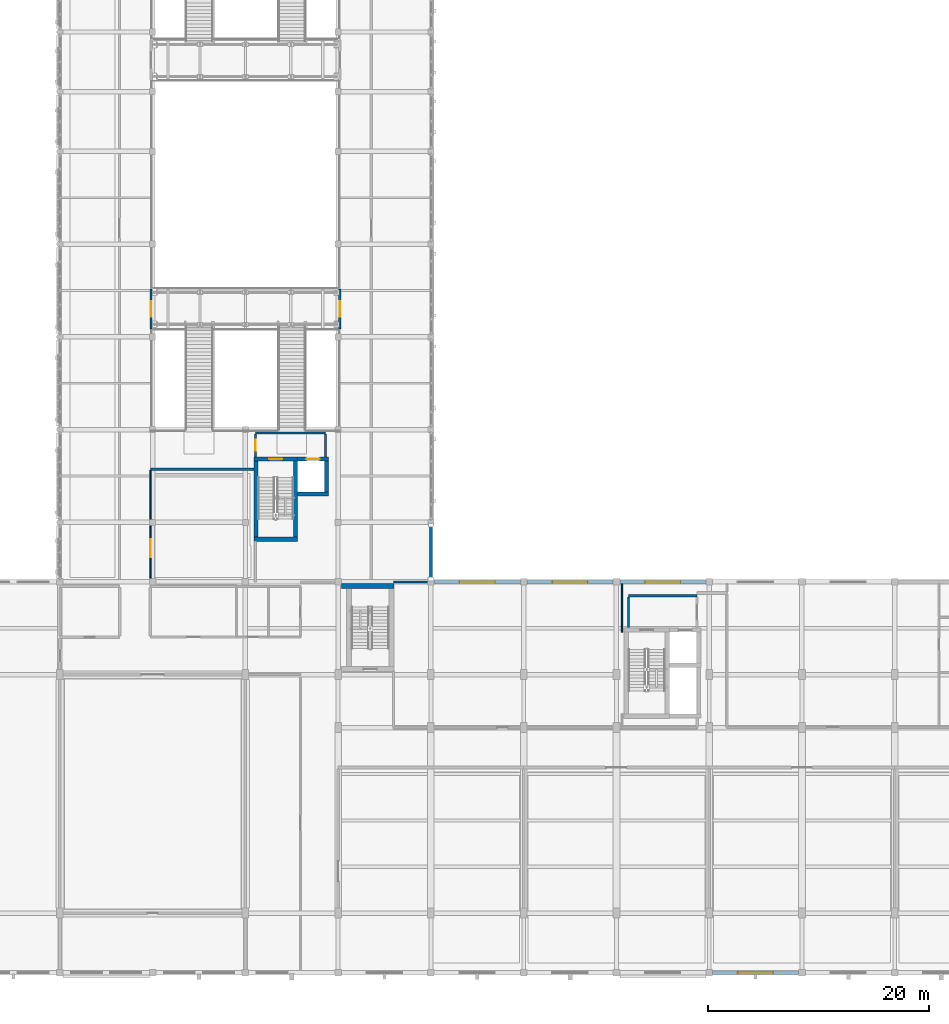
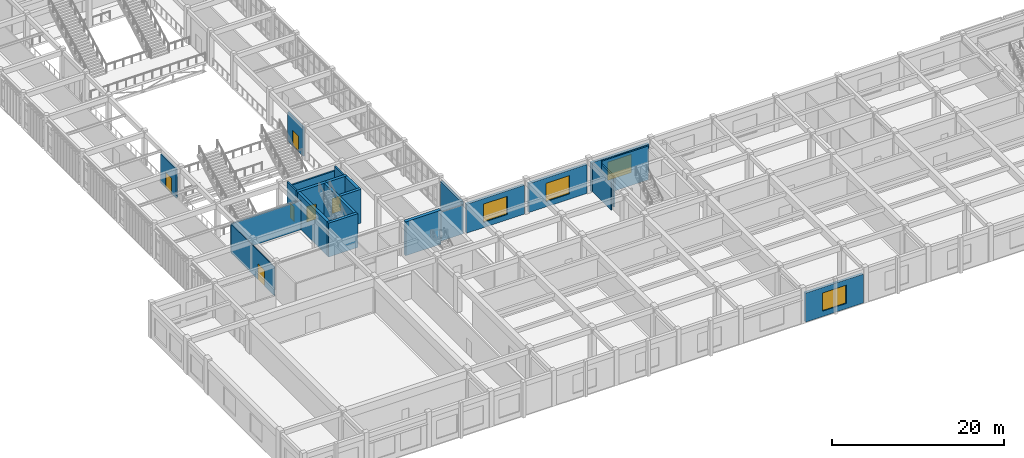
# One storey, part 73 of 93: 24 walls, 6 doors, 4 windows, 10 openings.
"""IFC4 building model written with IfcOpenShell, lengths in metres."""

from ifc_helpers import new_model, si_unit, direction, frame, frame_2d, origin, place, context, subcontext, project, spatial, rectangle, extrude, material, layer, layer_set, type_object, element, fill, save


model = new_model("IFC4")

# Units and contexts
model_context = context("Model", 3, precision=1e-05, world=origin(), true_north=direction((0.0, 1.0)))
body_context = subcontext(model_context, "Body", "Model", "MODEL_VIEW")
ifc_project = project(units=[si_unit("LENGTHUNIT", "METRE"), si_unit("AREAUNIT", "SQUARE_METRE"), si_unit("VOLUMEUNIT", "CUBIC_METRE"), si_unit("PLANEANGLEUNIT", "RADIAN"), si_unit("MASSUNIT", "GRAM", prefix="KILO")], contexts=[model_context])

# Site, building, storey
site_placement = place(None, origin())
site = spatial("IfcSite", under=ifc_project, at=site_placement, CompositionType="ELEMENT")
building_placement = place(site_placement, origin())
building = spatial("IfcBuilding", under=site, at=building_placement, Name="Krzemoval Escarpment Law Courts", CompositionType="ELEMENT")
storey_placement = place(building_placement, frame((0.0, 0.0, 10.199951171875)))
storey = spatial("IfcBuildingStorey", under=building, at=storey_placement, Name="L02", CompositionType="ELEMENT", Elevation=10.199951171875)

# Wall
ifc_material_1 = material(Name="Precast concrete C40/50", Category="concrete")
ifc_layer_1 = layer(ifc_material_1, 0.300048828125)
ifc_layer_set_1 = layer_set([ifc_layer_1], Name="Precast concrete C40/50")
wall_type_1 = type_object("IfcWallType", Name="WL-EXT-300", PredefinedType="SOLIDWALL", material=ifc_layer_set_1)
wall_1_placement = place(storey_placement, frame((42.0, 40.52490234375, 0.0), z_axis=(0.0, 0.0, 1.0), x_axis=(0.0, -1.0, 0.0)))
element("IfcWall", 1, at=wall_1_placement, inside=storey, type_object=wall_type_1, Name="Exterior Wall EW-L02-0275", PredefinedType="SOLIDWALL", context=body_context, shape_type="SweptSolid", body=[
    extrude(rectangle(XDim=4.824951171875, YDim=0.300048828125, at=frame_2d((2.41259765625, 0.0))), origin(), (0.0, 0.0, 1.0), 4.3701171875),
])

# Wall, opening, window
ifc_material_2 = material(Name="Precast concrete C40/50", Category="concrete")
ifc_layer_2 = layer(ifc_material_2, 0.340087890625)
ifc_layer_set_2 = layer_set([ifc_layer_2], Name="Precast concrete C40/50")
wall_type_2 = type_object("IfcWallType", Name="WL-EXT-340", PredefinedType="SOLIDWALL", material=ifc_layer_set_2)
wall_2_placement = place(storey_placement, frame((42.300048828125, 35.39990234375, 0.0), z_axis=(0.0, 0.0, 1.0), x_axis=(1.0, 0.0, 0.0)))
wall_2 = element("IfcWall", 2, at=wall_2_placement, inside=storey, type_object=wall_type_2, Name="Exterior Wall EW-L02-0276", PredefinedType="SOLIDWALL", context=body_context, shape_type="SweptSolid", body=[
    extrude(rectangle(XDim=7.800048828125, YDim=0.340087890625, at=frame_2d((3.89990234375, 0.0))), origin(), (0.0, 0.0, 1.0), 4.1201171875),
])
opening_1_placement = place(wall_2_placement, frame((2.300048828125, 0.0, 0.75)))
opening_1 = element("IfcOpeningElement", 3, at=opening_1_placement, cuts=wall_2, Name="Opening WN-L02-0296", PredefinedType="OPENING", context=body_context, shape_type="SweptSolid", body=[
    extrude(rectangle(XDim=3.199951171875, YDim=2.60009765625, at=frame_2d((1.60009765625, 1.300048828125))), frame((0.0, 0.18504, 0.0), z_axis=(0.0, -1.0, 0.0), x_axis=(1.0, 0.0, 0.0)), (0.0, 0.0, 1.0), 0.37009),
])
ifc_material_3 = material(Name="Thermally Broken Aluminium Frame with Triple Low-E Acoustic Glass", Category="aluminium")
window_type = type_object("IfcWindowType", Name="WN-3200x2600", PartitioningType="SINGLE_PANEL", PredefinedType="WINDOW", material=ifc_material_3)
window_1_placement = place(opening_1_placement, origin())
window_1 = element("IfcWindow", 4, at=window_1_placement, inside=storey, type_object=window_type, Name="Facade Window WN-L02-0296", OverallHeight=2.60009765625, OverallWidth=3.199951171875, PartitioningType="SINGLE_PANEL", PredefinedType="WINDOW", context=body_context, shape_type="SweptSolid", body=[
    extrude(rectangle(XDim=3.199951171875, YDim=2.60009765625, at=frame_2d((1.60009765625, 1.300048828125))), frame((0.0, 0.030029296875, 0.0), z_axis=(0.0, -1.0, 0.0), x_axis=(1.0, 0.0, 0.0)), (0.0, 0.0, 1.0), 0.06005859375),
])
fill(opening_1, window_1)

wall_3_placement = place(storey_placement, frame((50.699951171875, 35.39990234375, 0.0), z_axis=(0.0, 0.0, 1.0), x_axis=(1.0, 0.0, 0.0)))
wall_3 = element("IfcWall", 5, at=wall_3_placement, inside=storey, type_object=wall_type_2, Name="Exterior Wall EW-L02-0277", PredefinedType="SOLIDWALL", context=body_context, shape_type="SweptSolid", body=[
    extrude(rectangle(XDim=7.800048828125, YDim=0.340087890625, at=frame_2d((3.89990234375, 0.0))), origin(), (0.0, 0.0, 1.0), 4.1201171875),
])
opening_2_placement = place(wall_3_placement, frame((2.300048828125, 0.0, 0.75)))
opening_2 = element("IfcOpeningElement", 6, at=opening_2_placement, cuts=wall_3, Name="Opening WN-L02-0297", PredefinedType="OPENING", context=body_context, shape_type="SweptSolid", body=[
    extrude(rectangle(XDim=3.199951171875, YDim=2.60009765625, at=frame_2d((1.60009765625, 1.300048828125))), frame((0.0, 0.18504, 0.0), z_axis=(0.0, -1.0, 0.0), x_axis=(1.0, 0.0, 0.0)), (0.0, 0.0, 1.0), 0.37009),
])
window_2_placement = place(opening_2_placement, origin())
window_2 = element("IfcWindow", 7, at=window_2_placement, inside=storey, type_object=window_type, Name="Facade Window WN-L02-0297", OverallHeight=2.60009765625, OverallWidth=3.199951171875, PartitioningType="SINGLE_PANEL", PredefinedType="WINDOW", context=body_context, shape_type="SweptSolid", body=[
    extrude(rectangle(XDim=3.199951171875, YDim=2.60009765625, at=frame_2d((1.60009765625, 1.300048828125))), frame((0.0, 0.030029296875, 0.0), z_axis=(0.0, -1.0, 0.0), x_axis=(1.0, 0.0, 0.0)), (0.0, 0.0, 1.0), 0.06005859375),
])
fill(opening_2, window_2)

wall_4_placement = place(storey_placement, frame((59.10009765625, 35.39990234375, 0.0), z_axis=(0.0, 0.0, 1.0), x_axis=(1.0, 0.0, 0.0)))
wall_4 = element("IfcWall", 8, at=wall_4_placement, inside=storey, type_object=wall_type_2, Name="Exterior Wall EW-L02-0278", PredefinedType="SOLIDWALL", context=body_context, shape_type="SweptSolid", body=[
    extrude(rectangle(XDim=7.7998046875, YDim=0.340087890625, at=frame_2d((3.89990234375, 0.0))), origin(), (0.0, 0.0, 1.0), 4.1201171875),
])
opening_3_placement = place(wall_4_placement, frame((2.300048828125, 0.0, 0.75)))
opening_3 = element("IfcOpeningElement", 9, at=opening_3_placement, cuts=wall_4, Name="Opening WN-L02-0298", PredefinedType="OPENING", context=body_context, shape_type="SweptSolid", body=[
    extrude(rectangle(XDim=3.199951171875, YDim=2.60009765625, at=frame_2d((1.60009765625, 1.300048828125))), frame((0.0, 0.18504, 0.0), z_axis=(0.0, -1.0, 0.0), x_axis=(1.0, 0.0, 0.0)), (0.0, 0.0, 1.0), 0.37009),
])
window_3_placement = place(opening_3_placement, origin())
window_3 = element("IfcWindow", 10, at=window_3_placement, inside=storey, type_object=window_type, Name="Facade Window WN-L02-0298", OverallHeight=2.60009765625, OverallWidth=3.199951171875, PartitioningType="SINGLE_PANEL", PredefinedType="WINDOW", context=body_context, shape_type="SweptSolid", body=[
    extrude(rectangle(XDim=3.199951171875, YDim=2.60009765625, at=frame_2d((1.60009765625, 1.300048828125))), frame((0.0, 0.030029296875, 0.0), z_axis=(0.0, -1.0, 0.0), x_axis=(1.0, 0.0, 0.0)), (0.0, 0.0, 1.0), 0.06005859375),
])
fill(opening_3, window_3)

wall_5_placement = place(storey_placement, frame((75.300048828125, 0.0, 0.0), z_axis=(0.0, 0.0, 1.0), x_axis=(-1.0, 0.0, 0.0)))
wall_5 = element("IfcWall", 11, at=wall_5_placement, inside=storey, type_object=wall_type_2, Name="Exterior Wall EW-L02-0297", PredefinedType="SOLIDWALL", context=body_context, shape_type="SweptSolid", body=[
    extrude(rectangle(XDim=7.800048828125, YDim=0.340087890625, at=frame_2d((3.89990234375, 0.0))), origin(), (0.0, 0.0, 1.0), 4.1201171875),
])
opening_4_placement = place(wall_5_placement, frame((2.300048828125, 0.0, 0.75)))
opening_4 = element("IfcOpeningElement", 12, at=opening_4_placement, cuts=wall_5, Name="Opening WN-L02-0320", PredefinedType="OPENING", context=body_context, shape_type="SweptSolid", body=[
    extrude(rectangle(XDim=3.199951171875, YDim=2.60009765625, at=frame_2d((1.60009765625, 1.300048828125))), frame((0.0, 0.18504, 0.0), z_axis=(0.0, -1.0, 0.0), x_axis=(1.0, 0.0, 0.0)), (0.0, 0.0, 1.0), 0.37009),
])
window_4_placement = place(opening_4_placement, origin())
window_4 = element("IfcWindow", 13, at=window_4_placement, inside=storey, type_object=window_type, Name="Facade Window WN-L02-0320", OverallHeight=2.60009765625, OverallWidth=3.199951171875, PartitioningType="SINGLE_PANEL", PredefinedType="WINDOW", context=body_context, shape_type="SweptSolid", body=[
    extrude(rectangle(XDim=3.199951171875, YDim=2.60009765625, at=frame_2d((1.60009765625, 1.300048828125))), frame((0.0, 0.030029296875, 0.0), z_axis=(0.0, -1.0, 0.0), x_axis=(1.0, 0.0, 0.0)), (0.0, 0.0, 1.0), 0.06005859375),
])
fill(opening_4, window_4)

# Wall, opening, door
ifc_material_4 = material(Name="Standard Metal-Stud Gypsum Partition", Category="gypsum")
ifc_layer_3 = layer(ifc_material_4, 0.125)
ifc_layer_set_3 = layer_set([ifc_layer_3], Name="Standard Metal-Stud Gypsum Partition")
wall_type_3 = type_object("IfcWallType", Name="WL-PRT-125", PredefinedType="PARTITIONING", material=ifc_layer_set_3)
wall_6_placement = place(storey_placement, frame((16.60009765625, 35.39990234375, 0.0), z_axis=(0.0, 0.0, 1.0), x_axis=(0.0, 1.0, 0.0)))
wall_6 = element("IfcWall", 14, at=wall_6_placement, inside=storey, type_object=wall_type_3, Name="Interior Partition PW-L02-0428", PredefinedType="PARTITIONING", context=body_context, shape_type="SweptSolid", body=[
    extrude(rectangle(XDim=10.09814453125, YDim=0.125, at=frame_2d((5.049072265625, 0.0))), origin(), (0.0, 0.0, 1.0), 4.1201171875),
])
opening_5_placement = place(wall_6_placement, frame((2.2490234375, 0.0, 0.0)))
opening_5 = element("IfcOpeningElement", 15, at=opening_5_placement, cuts=wall_6, Name="Opening D-L02-0157", PredefinedType="OPENING", context=body_context, shape_type="SweptSolid", body=[
    extrude(rectangle(XDim=1.60009765625, YDim=2.300048828125, at=frame_2d((0.800048828125, 1.14990234375))), frame((0.0, 0.0775, 0.0), z_axis=(0.0, -1.0, 0.0), x_axis=(1.0, 0.0, 0.0)), (0.0, 0.0, 1.0), 0.155),
])
ifc_material_5 = material(Name="Engineered Solid-Core Oak Acoustic Timber", Category="wood")
door_type_1 = type_object("IfcDoorType", Name="DR-CRT-1600x2300", OperationType="SINGLE_SWING_LEFT", PredefinedType="DOOR", material=ifc_material_5)
door_1_placement = place(opening_5_placement, origin())
door_1 = element("IfcDoor", 16, at=door_1_placement, inside=storey, type_object=door_type_1, Name="Room Door D-L02-0157", OperationType="SINGLE_SWING_LEFT", OverallHeight=2.300048828125, OverallWidth=1.60009765625, PredefinedType="DOOR", context=body_context, shape_type="SweptSolid", body=[
    extrude(rectangle(XDim=1.60009765625, YDim=2.300048828125, at=frame_2d((0.800048828125, 1.14990234375))), frame((0.0, 0.02490234375, 0.0), z_axis=(0.0, -1.0, 0.0), x_axis=(1.0, 0.0, 0.0)), (0.0, 0.0, 1.0), 0.050048828125),
])
fill(opening_5, door_1)

# Walls
wall_7_placement = place(storey_placement, frame((59.300048828125, 30.847900390625, 0.0), z_axis=(0.0, 0.0, 1.0), x_axis=(0.0, 1.0, 0.0)))
element("IfcWall", 17, at=wall_7_placement, inside=storey, type_object=wall_type_3, Name="Interior Partition PW-L02-0446", PredefinedType="PARTITIONING", context=body_context, shape_type="SweptSolid", body=[
    extrude(rectangle(XDim=4.380126953125, YDim=0.125, at=frame_2d((2.18994140625, 0.0))), origin(), (0.0, 0.0, 1.0), 4.1201171875),
])
ifc_material_6 = material(Name="Jury Suite Partition Assembly", Category="gypsum")
ifc_layer_4 = layer(ifc_material_6, 0.159912109375)
ifc_layer_set_4 = layer_set([ifc_layer_4], Name="Jury Suite Partition Assembly")
wall_type_4 = type_object("IfcWallType", Name="WL-PRT-160", PredefinedType="PARTITIONING", material=ifc_layer_set_4)
wall_8_placement = place(storey_placement, frame((38.64990234375, 35.39990234375, 0.0), z_axis=(0.0, 0.0, 1.0), x_axis=(1.0, 0.0, 0.0)))
element("IfcWall", 18, at=wall_8_placement, inside=storey, type_object=wall_type_4, Name="Interior Partition PW-L02-0399", PredefinedType="PARTITIONING", context=body_context, shape_type="SweptSolid", body=[
    extrude(rectangle(XDim=3.2880859375, YDim=0.159912109375, at=frame_2d((1.64404296875, 0.0))), origin(), (0.0, 0.0, 1.0), 4.1201171875),
])

# Wall, opening, door
ifc_material_7 = material(Name="Fire-Rated Corridor Partition Wall", Category="gypsum")
ifc_layer_5 = layer(ifc_material_7, 0.199951171875)
ifc_layer_set_5 = layer_set([ifc_layer_5], Name="Fire-Rated Corridor Partition Wall")
wall_type_5 = type_object("IfcWallType", Name="WL-PRT-200", PredefinedType="PARTITIONING", material=ifc_layer_set_5)
wall_9_placement = place(storey_placement, frame((16.64990234375, 58.300048828125, 0.0), z_axis=(0.0, 0.0, 1.0), x_axis=(0.0, 1.0, 0.0)))
wall_9 = element("IfcWall", 19, at=wall_9_placement, inside=storey, type_object=wall_type_5, Name="Atrium Bridge Smoke Portal Wall PW-L02-0003", PredefinedType="PARTITIONING", context=body_context, shape_type="SweptSolid", body=[
    extrude(rectangle(XDim=3.6298828125, YDim=0.199951171875, at=frame_2d((1.81494140625, 0.0))), origin(), (0.0, 0.0, 1.0), 4.1201171875),
])
opening_6_placement = place(wall_9_placement, frame((1.114990234375, 0.0, 0.0)))
opening_6 = element("IfcOpeningElement", 20, at=opening_6_placement, cuts=wall_9, Name="Opening D-L02-0003", PredefinedType="OPENING", context=body_context, shape_type="SweptSolid", body=[
    extrude(rectangle(XDim=1.39990234375, YDim=2.199951171875, at=frame_2d((0.699951171875, 1.10009765625))), frame((0.0, 0.11498, 0.0), z_axis=(0.0, -1.0, 0.0), x_axis=(1.0, 0.0, 0.0)), (0.0, 0.0, 1.0), 0.22995),
])
ifc_material_8 = material(Name="Galvanised Steel S355", Category="steel")
door_type_2 = type_object("IfcDoorType", Name="DR-FFL-1400x2200", OperationType="SINGLE_SWING_LEFT", PredefinedType="DOOR", material=ifc_material_8)
door_2_placement = place(opening_6_placement, origin())
door_2 = element("IfcDoor", 21, at=door_2_placement, inside=storey, type_object=door_type_2, Name="Atrium Bridge Smoke Door D-L02-0003", OperationType="SINGLE_SWING_LEFT", OverallHeight=2.199951171875, OverallWidth=1.39990234375, PredefinedType="DOOR", context=body_context, shape_type="SweptSolid", body=[
    extrude(rectangle(XDim=1.39990234375, YDim=2.199951171875, at=frame_2d((0.699951171875, 1.10009765625))), frame((0.0, 0.02490234375, 0.0), z_axis=(0.0, -1.0, 0.0), x_axis=(1.0, 0.0, 0.0)), (0.0, 0.0, 1.0), 0.050048828125),
])
fill(opening_6, door_2)

wall_10_placement = place(storey_placement, frame((33.75, 58.300048828125, 0.0), z_axis=(0.0, 0.0, 1.0), x_axis=(0.0, 1.0, 0.0)))
wall_10 = element("IfcWall", 22, at=wall_10_placement, inside=storey, type_object=wall_type_5, Name="Atrium Bridge Smoke Portal Wall PW-L02-0004", PredefinedType="PARTITIONING", context=body_context, shape_type="SweptSolid", body=[
    extrude(rectangle(XDim=3.6298828125, YDim=0.199951171875, at=frame_2d((1.81494140625, 0.0))), origin(), (0.0, 0.0, 1.0), 4.1201171875),
])
opening_7_placement = place(wall_10_placement, frame((1.114990234375, 0.0, 0.0)))
opening_7 = element("IfcOpeningElement", 23, at=opening_7_placement, cuts=wall_10, Name="Opening D-L02-0004", PredefinedType="OPENING", context=body_context, shape_type="SweptSolid", body=[
    extrude(rectangle(XDim=1.39990234375, YDim=2.199951171875, at=frame_2d((0.699951171875, 1.10009765625))), frame((0.0, 0.11498, 0.0), z_axis=(0.0, -1.0, 0.0), x_axis=(1.0, 0.0, 0.0)), (0.0, 0.0, 1.0), 0.22995),
])
door_3_placement = place(opening_7_placement, origin())
door_3 = element("IfcDoor", 24, at=door_3_placement, inside=storey, type_object=door_type_2, Name="Atrium Bridge Smoke Door D-L02-0004", OperationType="SINGLE_SWING_LEFT", OverallHeight=2.199951171875, OverallWidth=1.39990234375, PredefinedType="DOOR", context=body_context, shape_type="SweptSolid", body=[
    extrude(rectangle(XDim=1.39990234375, YDim=2.199951171875, at=frame_2d((0.699951171875, 1.10009765625))), frame((0.0, 0.02490234375, 0.0), z_axis=(0.0, -1.0, 0.0), x_axis=(1.0, 0.0, 0.0)), (0.0, 0.0, 1.0), 0.050048828125),
])
fill(opening_7, door_3)

# Walls
wall_11_placement = place(storey_placement, frame((59.89990234375, 34.14990234375, 0.0), z_axis=(0.0, 0.0, 1.0), x_axis=(1.0, 0.0, 0.0)))
element("IfcWall", 25, at=wall_11_placement, inside=storey, type_object=wall_type_5, Name="Interior Partition PW-L02-0391", PredefinedType="PARTITIONING", context=body_context, shape_type="SweptSolid", body=[
    extrude(rectangle(XDim=6.2001953125, YDim=0.199951171875, at=frame_2d((3.10009765625, 0.0))), origin(), (0.0, 0.0, 1.0), 4.820068359375),
])
wall_12_placement = place(storey_placement, frame((16.60009765625, 45.60009765625, 0.0), z_axis=(0.0, 0.0, 1.0), x_axis=(1.0, 0.0, 0.0)))
element("IfcWall", 26, at=wall_12_placement, inside=storey, type_object=wall_type_5, Name="Interior Partition PW-L02-0400", PredefinedType="PARTITIONING", context=body_context, shape_type="SweptSolid", body=[
    extrude(rectangle(XDim=9.367919921875, YDim=0.199951171875, at=frame_2d((4.68408203125, 0.0))), origin(), (0.0, 0.0, 1.0), 4.1201171875),
])
wall_13_placement = place(storey_placement, frame((26.10009765625, 48.89990234375, 0.0), z_axis=(0.0, 0.0, 1.0), x_axis=(1.0, 0.0, 0.0)))
element("IfcWall", 27, at=wall_13_placement, inside=storey, type_object=wall_type_5, Name="Interior Partition PW-L02-0401", PredefinedType="PARTITIONING", context=body_context, shape_type="SweptSolid", body=[
    extrude(rectangle(XDim=6.349853515625, YDim=0.199951171875, at=frame_2d((3.1748046875, 0.0))), origin(), (0.0, 0.0, 1.0), 4.1201171875),
])

# Wall, opening, door
wall_14_placement = place(storey_placement, frame((26.10009765625, 46.73193359375, 0.0), z_axis=(0.0, 0.0, 1.0), x_axis=(0.0, 1.0, 0.0)))
wall_14 = element("IfcWall", 28, at=wall_14_placement, inside=storey, type_object=wall_type_5, Name="Interior Partition PW-L02-0433", PredefinedType="PARTITIONING", context=body_context, shape_type="SweptSolid", body=[
    extrude(rectangle(XDim=2.066162109375, YDim=0.199951171875, at=frame_2d((1.033203125, 0.0))), origin(), (0.0, 0.0, 1.0), 4.820068359375),
])
opening_8_placement = place(wall_14_placement, frame((0.532958984375, 0.0, 0.0)))
opening_8 = element("IfcOpeningElement", 29, at=opening_8_placement, cuts=wall_14, Name="Opening D-L02-0130", PredefinedType="OPENING", context=body_context, shape_type="SweptSolid", body=[
    extrude(rectangle(XDim=1.0, YDim=2.10009765625, at=frame_2d((0.5, 1.050048828125))), frame((0.0, 0.11498, 0.0), z_axis=(0.0, -1.0, 0.0), x_axis=(1.0, 0.0, 0.0)), (0.0, 0.0, 1.0), 0.22995),
])
ifc_material_9 = material(Name="Engineered Solid-Core Oak Acoustic Timber", Category="wood")
door_type_3 = type_object("IfcDoorType", Name="DR-INT-1000x2100", OperationType="SINGLE_SWING_LEFT", PredefinedType="DOOR", material=ifc_material_9)
door_4_placement = place(opening_8_placement, origin())
door_4 = element("IfcDoor", 30, at=door_4_placement, inside=storey, type_object=door_type_3, Name="Room Door D-L02-0130", OperationType="SINGLE_SWING_LEFT", OverallHeight=2.10009765625, OverallWidth=1.0, PredefinedType="DOOR", context=body_context, shape_type="SweptSolid", body=[
    extrude(rectangle(XDim=1.0, YDim=2.10009765625, at=frame_2d((0.5, 1.050048828125))), frame((0.0, 0.02490234375, 0.0), z_axis=(0.0, -1.0, 0.0), x_axis=(1.0, 0.0, 0.0)), (0.0, 0.0, 1.0), 0.050048828125),
])
fill(opening_8, door_4)

# Walls
wall_15_placement = place(storey_placement, frame((32.449951171875, 46.73193359375, 0.0), z_axis=(0.0, 0.0, 1.0), x_axis=(0.0, 1.0, 0.0)))
element("IfcWall", 31, at=wall_15_placement, inside=storey, type_object=wall_type_5, Name="Interior Partition PW-L02-0438", PredefinedType="PARTITIONING", context=body_context, shape_type="SweptSolid", body=[
    extrude(rectangle(XDim=2.066162109375, YDim=0.199951171875, at=frame_2d((1.033203125, 0.0))), origin(), (0.0, 0.0, 1.0), 4.820068359375),
])
wall_16_placement = place(storey_placement, frame((59.89990234375, 31.251953125, 0.0), z_axis=(0.0, 0.0, 1.0), x_axis=(0.0, 1.0, 0.0)))
element("IfcWall", 32, at=wall_16_placement, inside=storey, type_object=wall_type_5, Name="Interior Partition PW-L02-0447", PredefinedType="PARTITIONING", context=body_context, shape_type="SweptSolid", body=[
    extrude(rectangle(XDim=2.796142578125, YDim=0.199951171875, at=frame_2d((1.39794921875, 0.0))), origin(), (0.0, 0.0, 1.0), 4.3701171875),
])

# Wall, opening, door
ifc_material_10 = material(Name="Concrete C40/50", Category="concrete")
ifc_layer_6 = layer(ifc_material_10, 0.3798828125)
ifc_layer_set_6 = layer_set([ifc_layer_6], Name="Concrete C40/50")
wall_type_6 = type_object("IfcWallType", Name="WL-SHW-380", PredefinedType="SHEAR", material=ifc_layer_set_6)
wall_17_placement = place(storey_placement, frame((25.969970703125, 46.5400390625, 0.0), z_axis=(0.0, 0.0, 1.0), x_axis=(1.0, 0.0, 0.0)))
wall_17 = element("IfcWall", 33, at=wall_17_placement, inside=storey, type_object=wall_type_6, Name="Core Stair Shear Wall SW-L02-0526", PredefinedType="SHEAR", context=body_context, shape_type="SweptSolid", body=[
    extrude(rectangle(XDim=3.9599609375, YDim=0.3798828125, at=frame_2d((1.97998046875, 0.0))), origin(), (0.0, 0.0, 1.0), 4.820068359375),
])
opening_9_placement = place(wall_17_placement, frame((1.3798828125, 0.0, 0.0)))
opening_9 = element("IfcOpeningElement", 34, at=opening_9_placement, cuts=wall_17, Name="Opening SD-ST5-L02", PredefinedType="OPENING", context=body_context, shape_type="SweptSolid", body=[
    extrude(rectangle(XDim=1.199951171875, YDim=2.199951171875, at=frame_2d((0.60009765625, 1.10009765625))), frame((0.0, 0.20494, 0.0), z_axis=(0.0, -1.0, 0.0), x_axis=(1.0, 0.0, 0.0)), (0.0, 0.0, 1.0), 0.40988),
])
ifc_material_11 = material(Name="Galvanised Steel S355", Category="steel")
door_type_4 = type_object("IfcDoorType", Name="DR-STR-1200x2200", OperationType="SINGLE_SWING_LEFT", PredefinedType="DOOR", material=ifc_material_11)
door_5_placement = place(opening_9_placement, origin())
door_5 = element("IfcDoor", 35, at=door_5_placement, inside=storey, type_object=door_type_4, Name="Stair Exit Door SD-ST5-L02", OperationType="SINGLE_SWING_RIGHT", OverallHeight=2.199951171875, OverallWidth=1.199951171875, PredefinedType="DOOR", context=body_context, shape_type="SweptSolid", body=[
    extrude(rectangle(XDim=1.199951171875, YDim=2.199951171875, at=frame_2d((0.60009765625, 1.10009765625))), frame((0.0, 0.02490234375, 0.0), z_axis=(0.0, -1.0, 0.0), x_axis=(1.0, 0.0, 0.0)), (0.0, 0.0, 1.0), 0.050048828125),
])
fill(opening_9, door_5)

# Walls
wall_18_placement = place(storey_placement, frame((25.969970703125, 39.260009765625, 0.0), z_axis=(0.0, 0.0, 1.0), x_axis=(1.0, 0.0, 0.0)))
element("IfcWall", 36, at=wall_18_placement, inside=storey, type_object=wall_type_6, Name="Core Stair Shear Wall SW-L02-0527", PredefinedType="SHEAR", context=body_context, shape_type="SweptSolid", body=[
    extrude(rectangle(XDim=3.9599609375, YDim=0.3798828125, at=frame_2d((1.97998046875, 0.0))), origin(), (0.0, 0.0, 1.0), 4.820068359375),
])
for number, where, z_axis, x_axis, name in (
    (37, (26.159912109375, 39.451904296875, 0.0), (0.0, 0.0, 1.0), (0.0, 1.0, 0.0), "Core Stair Shear Wall SW-L02-0528"),
    (38, (29.739990234375, 39.451904296875, 0.0), (0.0, 0.0, 1.0), (0.0, 1.0, 0.0), "Core Stair Shear Wall SW-L02-0529"),
):
    element("IfcWall", number, at=place(storey_placement, frame(where, z_axis=z_axis, x_axis=x_axis)), inside=storey, type_object=wall_type_6, Name=name, PredefinedType="SHEAR", context=body_context, shape_type="SweptSolid", body=[
        extrude(rectangle(XDim=6.89599609375, YDim=0.3798828125, at=frame_2d((3.447998046875, 0.0))), origin(), (0.0, 0.0, 1.0), 4.820068359375),
    ])
wall_19_placement = place(storey_placement, frame((29.931884765625, 43.360107421875, 0.0), z_axis=(0.0, 0.0, 1.0), x_axis=(1.0, 0.0, 0.0)))
element("IfcWall", 39, at=wall_19_placement, inside=storey, type_object=wall_type_6, Name="Lift Shaft Shear Wall SW-L02-0530", PredefinedType="SHEAR", context=body_context, shape_type="SweptSolid", body=[
    extrude(rectangle(XDim=2.798095703125, YDim=0.3798828125, at=frame_2d((1.39892578125, 0.0))), origin(), (0.0, 0.0, 1.0), 4.820068359375),
])

# Wall, opening, door
wall_20_placement = place(storey_placement, frame((29.929931640625, 46.5400390625, 0.0), z_axis=(0.0, 0.0, 1.0), x_axis=(1.0, 0.0, 0.0)))
wall_20 = element("IfcWall", 40, at=wall_20_placement, inside=storey, type_object=wall_type_6, Name="Lift Shaft Shear Wall SW-L02-0531", PredefinedType="SHEAR", context=body_context, shape_type="SweptSolid", body=[
    extrude(rectangle(XDim=2.800048828125, YDim=0.3798828125, at=frame_2d((1.39990234375, 0.0))), origin(), (0.0, 0.0, 1.0), 4.820068359375),
])
opening_10_placement = place(wall_20_placement, frame((0.800048828125, 0.0, 0.0)))
opening_10 = element("IfcOpeningElement", 41, at=opening_10_placement, cuts=wall_20, Name="Opening LD-PL4-L02", PredefinedType="OPENING", context=body_context, shape_type="SweptSolid", body=[
    extrude(rectangle(XDim=1.199951171875, YDim=2.14990234375, at=frame_2d((0.60009765625, 1.074951171875))), frame((0.0, 0.20494, 0.0), z_axis=(0.0, -1.0, 0.0), x_axis=(1.0, 0.0, 0.0)), (0.0, 0.0, 1.0), 0.40988),
])
ifc_material_12 = material(Name="Engineered Solid-Core Oak Acoustic Timber", Category="wood")
door_type_5 = type_object("IfcDoorType", Name="DR-LFT-1200x2150", OperationType="SINGLE_SWING_LEFT", PredefinedType="DOOR", material=ifc_material_12)
door_6_placement = place(opening_10_placement, origin())
door_6 = element("IfcDoor", 42, at=door_6_placement, inside=storey, type_object=door_type_5, Name="Lift Landing Door LD-PL4-L02", OperationType="DOUBLE_DOOR_SLIDING", OverallHeight=2.14990234375, OverallWidth=1.199951171875, PredefinedType="DOOR", context=body_context, shape_type="SweptSolid", body=[
    extrude(rectangle(XDim=1.199951171875, YDim=2.14990234375, at=frame_2d((0.60009765625, 1.074951171875))), frame((0.0, 0.02490234375, 0.0), z_axis=(0.0, -1.0, 0.0), x_axis=(1.0, 0.0, 0.0)), (0.0, 0.0, 1.0), 0.050048828125),
])
fill(opening_10, door_6)

# Walls
wall_21_placement = place(storey_placement, frame((32.5400390625, 43.552001953125, 0.0), z_axis=(0.0, 0.0, 1.0), x_axis=(0.0, 1.0, 0.0)))
element("IfcWall", 43, at=wall_21_placement, inside=storey, type_object=wall_type_6, Name="Lift Shaft Shear Wall SW-L02-0532", PredefinedType="SHEAR", context=body_context, shape_type="SweptSolid", body=[
    extrude(rectangle(XDim=2.7958984375, YDim=0.3798828125, at=frame_2d((1.39794921875, 0.0))), origin(), (0.0, 0.0, 1.0), 4.820068359375),
])
ifc_material_13 = material(Name="Concrete C40/50", Category="concrete")
ifc_layer_7 = layer(ifc_material_13, 0.449951171875)
ifc_layer_set_7 = layer_set([ifc_layer_7], Name="Concrete C40/50")
wall_type_7 = type_object("IfcWallType", Name="WL-SHW-450", PredefinedType="SHEAR", material=ifc_layer_set_7)
wall_22_placement = place(storey_placement, frame((33.888916015625, 35.02490234375, 0.0), z_axis=(0.0, 0.0, 1.0), x_axis=(1.0, 0.0, 0.0)))
element("IfcWall", 44, at=wall_22_placement, inside=storey, type_object=wall_type_7, Name="Core Stair Shear Wall SW-L02-0607", PredefinedType="SHEAR", context=body_context, shape_type="SweptSolid", body=[
    extrude(rectangle(XDim=4.760986328125, YDim=0.449951171875, at=frame_2d((2.38037109375, 0.0))), origin(), (0.0, 0.0, 1.0), 4.820068359375),
])

save(model, "model.ifc")
